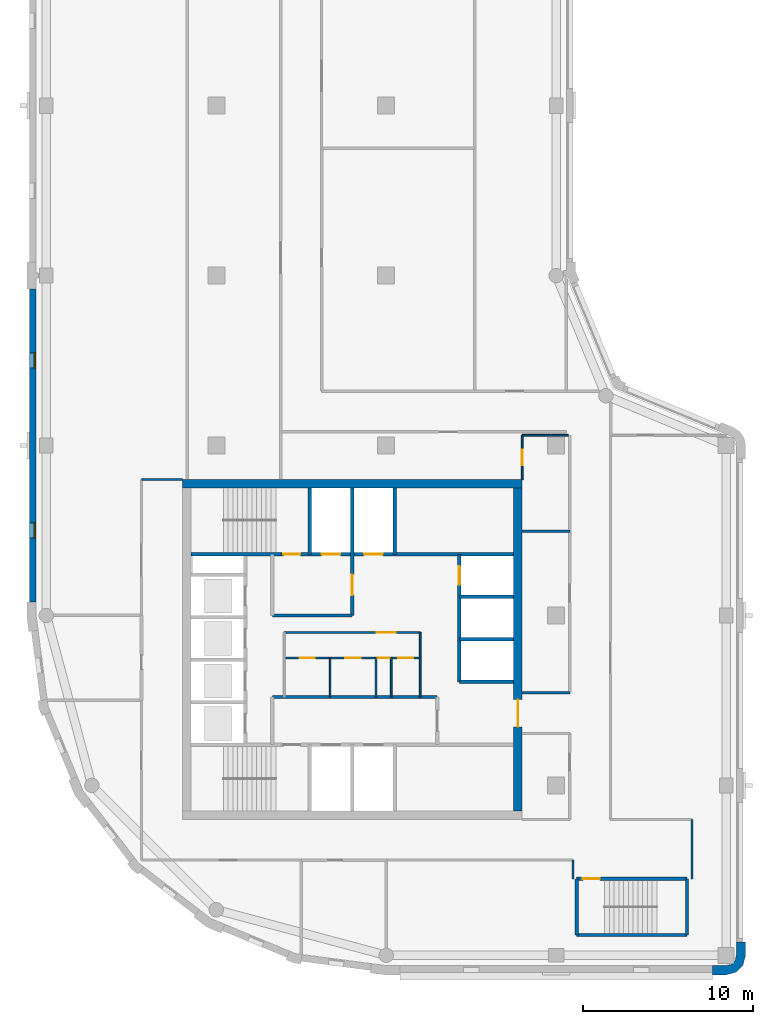
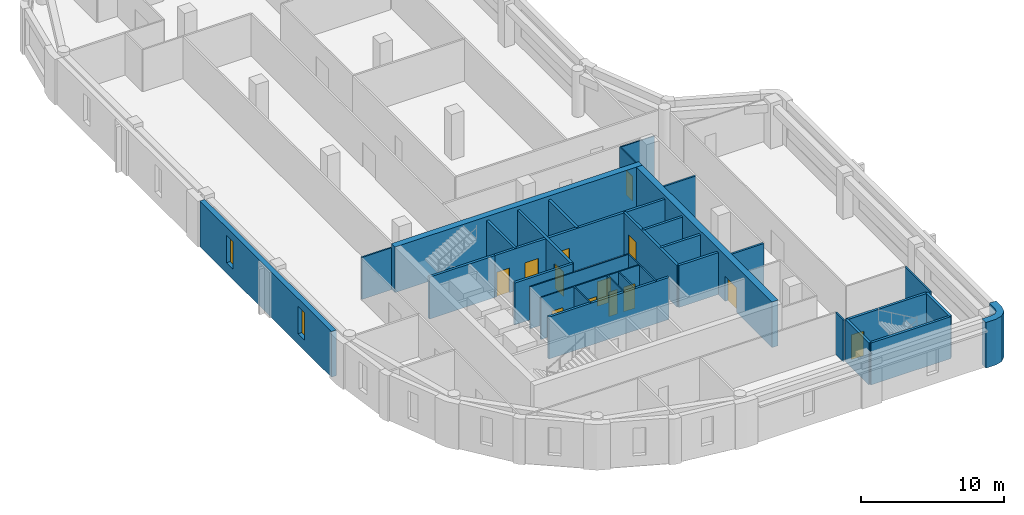
# One storey, part 3 of 8: 32 walls, 13 doors, 2 windows, 15 openings.
"""IFC4 building model written with IfcOpenShell, lengths in metres."""

from ifc_helpers import new_model, si_unit, direction, frame, frame_2d, origin, place, context, subcontext, project, spatial, polyline, rectangle, outline, extrude, material, layer, layer_set, type_object, element, fill, save


model = new_model("IFC4")

# Units and contexts
model_context = context("Model", 3, precision=1e-05, world=origin(), true_north=direction((0.0, 1.0)))
body_context = subcontext(model_context, "Body", "Model", "MODEL_VIEW")
ifc_project = project(units=[si_unit("LENGTHUNIT", "METRE"), si_unit("AREAUNIT", "SQUARE_METRE"), si_unit("VOLUMEUNIT", "CUBIC_METRE"), si_unit("PLANEANGLEUNIT", "RADIAN"), si_unit("MASSUNIT", "GRAM", prefix="KILO")], contexts=[model_context])

# Site, building, storey
site_placement = place(None, origin())
site = spatial("IfcSite", under=ifc_project, at=site_placement, CompositionType="ELEMENT")
building_placement = place(site_placement, origin())
building = spatial("IfcBuilding", under=site, at=building_placement, Name="Qaws Garden Tower", CompositionType="ELEMENT")
storey_placement = place(building_placement, frame((0.0, 0.0, 306.0)))
storey = spatial("IfcBuildingStorey", under=building, at=storey_placement, Name="L74", CompositionType="ELEMENT", Elevation=306.0)

# Wall
ifc_material_1 = material(Name="Clay facing brick masonry", Category="masonry")
ifc_layer_1 = layer(ifc_material_1, 0.550048828125)
ifc_layer_set_1 = layer_set([ifc_layer_1], Name="Clay facing brick masonry")
wall_type_1 = type_object("IfcWallType", Name="Brick corner pier 550 x 2400", PredefinedType="SOLIDWALL", material=ifc_layer_set_1)
wall_1_placement = place(storey_placement, origin())
element("IfcWall", 1, at=wall_1_placement, inside=storey, type_object=wall_type_1, Name="E-L74-pier-02", PredefinedType="SOLIDWALL", context=body_context, shape_type="SweptSolid", body=[
    extrude(outline(polyline([(39.199951171875, -1.0), (39.199951171875, -1.14990234375), (40.0, -1.14990234375), (40.574951171875, -0.995849609375), (40.995849609375, -0.574951171875), (41.14990234375, 0.0), (41.14990234375, 0.800048828125), (41.0, 0.800048828125), (40.60009765625, 0.800048828125), (40.60009765625, 0.0), (40.51953125, -0.300048828125), (40.300048828125, -0.51953125), (40.0, -0.60009765625), (39.199951171875, -0.60009765625), (39.199951171875, -1.0)])), origin(), (0.0, 0.0, 1.0), 3.89990234375),
])

# Wall, openings, windows
ifc_material_2 = material(Name="Clay facing brick masonry", Category="masonry")
ifc_layer_2 = layer(ifc_material_2, 0.39990234375)
ifc_layer_set_2 = layer_set([ifc_layer_2], Name="Clay facing brick masonry")
wall_type_2 = type_object("IfcWallType", Name="Brick infill wall 400", PredefinedType="SOLIDWALL", material=ifc_layer_set_2)
wall_2_placement = place(storey_placement, frame((-0.800048828125, 39.199951171875, 0.0), z_axis=(0.0, 0.0, 1.0), x_axis=(0.0, -1.0, 0.0)))
wall_2 = element("IfcWall", 2, at=wall_2_placement, inside=storey, type_object=wall_type_2, Name="E-L74-infill-19", PredefinedType="SOLIDWALL", context=body_context, shape_type="SweptSolid", body=[
    extrude(rectangle(XDim=18.39990234375, YDim=0.39990234375, at=frame_2d((9.199951171875, 0.0))), origin(), (0.0, 0.0, 1.0), 3.89990234375),
])
opening_1_placement = place(wall_2_placement, frame((3.75, 0.0, 0.89990234375)))
opening_1 = element("IfcOpeningElement", 3, at=opening_1_placement, cuts=wall_2, Name="Opening W09", PredefinedType="OPENING", context=body_context, shape_type="SweptSolid", body=[
    extrude(rectangle(XDim=0.89990234375, YDim=2.35009765625, at=frame_2d((0.449951171875, 1.175048828125))), frame((0.0, 0.2099609375, 0.0), z_axis=(0.0, -1.0, 0.0), x_axis=(1.0, 0.0, 0.0)), (0.0, 0.0, 1.0), 0.419921875),
])
opening_2_placement = place(wall_2_placement, frame((13.75, 0.0, 0.89990234375)))
opening_2 = element("IfcOpeningElement", 4, at=opening_2_placement, cuts=wall_2, Name="Opening W09", PredefinedType="OPENING", context=body_context, shape_type="SweptSolid", body=[
    extrude(rectangle(XDim=0.89990234375, YDim=2.35009765625, at=frame_2d((0.449951171875, 1.175048828125))), frame((0.0, 0.2099609375, 0.0), z_axis=(0.0, -1.0, 0.0), x_axis=(1.0, 0.0, 0.0)), (0.0, 0.0, 1.0), 0.419921875),
])
ifc_material_3 = material(Name="Aluminium framed window, clear glazing", Category="aluminium")
window_type = type_object("IfcWindowType", Name="Slit window 900 x 2350", PartitioningType="SINGLE_PANEL", PredefinedType="WINDOW", material=ifc_material_3)
window_1_placement = place(opening_1_placement, origin())
window_1 = element("IfcWindow", 5, at=window_1_placement, inside=storey, type_object=window_type, Name="E-L74-window-19-0", OverallHeight=2.35009765625, OverallWidth=0.89990234375, PartitioningType="SINGLE_PANEL", PredefinedType="WINDOW", context=body_context, shape_type="SweptSolid", body=[
    extrude(rectangle(XDim=0.89990234375, YDim=2.35009765625, at=frame_2d((0.449951171875, 1.175048828125))), frame((0.0, 0.159912109375, 0.0), z_axis=(0.0, -1.0, 0.0), x_axis=(1.0, 0.0, 0.0)), (0.0, 0.0, 1.0), 0.06005859375),
])
fill(opening_1, window_1)
window_2_placement = place(opening_2_placement, origin())
window_2 = element("IfcWindow", 6, at=window_2_placement, inside=storey, type_object=window_type, Name="E-L74-window-20-0", OverallHeight=2.35009765625, OverallWidth=0.89990234375, PartitioningType="SINGLE_PANEL", PredefinedType="WINDOW", context=body_context, shape_type="SweptSolid", body=[
    extrude(rectangle(XDim=0.89990234375, YDim=2.35009765625, at=frame_2d((0.449951171875, 1.175048828125))), frame((0.0, 0.159912109375, 0.0), z_axis=(0.0, -1.0, 0.0), x_axis=(1.0, 0.0, 0.0)), (0.0, 0.0, 1.0), 0.06005859375),
])
fill(opening_2, window_2)

# Wall, openings, doors
ifc_material_4 = material(Name="Plasterboard")
ifc_layer_3 = layer(ifc_material_4, 0.10009765625)
ifc_layer_set_3 = layer_set([ifc_layer_3], Name="Plasterboard")
wall_type_3 = type_object("IfcWallType", Name="Core partition 100", PredefinedType="PARTITIONING", material=ifc_layer_set_3)
wall_3_placement = place(storey_placement, frame((14.0, 17.5, 0.0), z_axis=(0.0, 0.0, 1.0), x_axis=(1.0, 0.0, 0.0)))
wall_3 = element("IfcWall", 7, at=wall_3_placement, inside=storey, type_object=wall_type_3, Name="Core partition", PredefinedType="PARTITIONING", context=body_context, shape_type="SweptSolid", body=[
    extrude(rectangle(XDim=8.0, YDim=0.10009765625, at=frame_2d((4.0, 0.0))), origin(), (0.0, 0.0, 1.0), 3.580078125),
])
opening_3_placement = place(wall_3_placement, frame((0.89990234375, 0.0, 0.0)))
opening_3 = element("IfcOpeningElement", 8, at=opening_3_placement, cuts=wall_3, Name="Opening WD18", PredefinedType="OPENING", context=body_context, shape_type="SweptSolid", body=[
    extrude(rectangle(XDim=0.89990234375, YDim=2.10009765625, at=frame_2d((0.449951171875, 1.050048828125))), frame((0.0, 0.06005859375, 0.0), z_axis=(0.0, -1.0, 0.0), x_axis=(1.0, 0.0, 0.0)), (0.0, 0.0, 1.0), 0.1201171875),
])
opening_4_placement = place(wall_3_placement, frame((3.60009765625, 0.0, 0.0)))
opening_4 = element("IfcOpeningElement", 9, at=opening_4_placement, cuts=wall_3, Name="Opening WD19", PredefinedType="OPENING", context=body_context, shape_type="SweptSolid", body=[
    extrude(rectangle(XDim=0.89990234375, YDim=2.10009765625, at=frame_2d((0.449951171875, 1.050048828125))), frame((0.0, 0.06005859375, 0.0), z_axis=(0.0, -1.0, 0.0), x_axis=(1.0, 0.0, 0.0)), (0.0, 0.0, 1.0), 0.1201171875),
])
opening_5_placement = place(wall_3_placement, frame((5.5, 0.0, 0.0)))
opening_5 = element("IfcOpeningElement", 10, at=opening_5_placement, cuts=wall_3, Name="Opening XD20", PredefinedType="OPENING", context=body_context, shape_type="SweptSolid", body=[
    extrude(rectangle(XDim=0.699951171875, YDim=2.10009765625, at=frame_2d((0.35009765625, 1.050048828125))), frame((0.0, 0.06005859375, 0.0), z_axis=(0.0, -1.0, 0.0), x_axis=(1.0, 0.0, 0.0)), (0.0, 0.0, 1.0), 0.1201171875),
])
opening_6_placement = place(wall_3_placement, frame((6.699951171875, 0.0, 0.0)))
opening_6 = element("IfcOpeningElement", 11, at=opening_6_placement, cuts=wall_3, Name="Opening WD21", PredefinedType="OPENING", context=body_context, shape_type="SweptSolid", body=[
    extrude(rectangle(XDim=0.89990234375, YDim=2.10009765625, at=frame_2d((0.449951171875, 1.050048828125))), frame((0.0, 0.06005859375, 0.0), z_axis=(0.0, -1.0, 0.0), x_axis=(1.0, 0.0, 0.0)), (0.0, 0.0, 1.0), 0.1201171875),
])
ifc_material_5 = material(Name="Timber", Category="wood")
door_type_1 = type_object("IfcDoorType", Name="Store door 700x2100", OperationType="SINGLE_SWING_LEFT", PredefinedType="DOOR", material=ifc_material_5)
door_1_placement = place(opening_5_placement, frame((0.699951171875, 0.0, 0.0), z_axis=(0.0, 0.0, 1.0), x_axis=(-1.0, 0.0, 0.0)))
door_1 = element("IfcDoor", 12, at=door_1_placement, inside=storey, type_object=door_type_1, Name="Cleaner's store door", OperationType="SINGLE_SWING_LEFT", OverallHeight=2.10009765625, OverallWidth=0.699951171875, PredefinedType="DOOR", context=body_context, shape_type="SweptSolid", body=[
    extrude(rectangle(XDim=0.699951171875, YDim=2.10009765625, at=frame_2d((0.35009765625, 1.050048828125))), frame((0.0, 0.02490234375, 0.0), z_axis=(0.0, -1.0, 0.0), x_axis=(1.0, 0.0, 0.0)), (0.0, 0.0, 1.0), 0.050048828125),
])
fill(opening_5, door_1)
ifc_material_6 = material(Name="Timber", Category="wood")
door_type_2 = type_object("IfcDoorType", Name="WC door 900x2100", OperationType="SINGLE_SWING_LEFT", PredefinedType="DOOR", material=ifc_material_6)
door_2_placement = place(opening_3_placement, frame((0.89990234375, 0.0, 0.0), z_axis=(0.0, 0.0, 1.0), x_axis=(-1.0, 0.0, 0.0)))
door_2 = element("IfcDoor", 13, at=door_2_placement, inside=storey, type_object=door_type_2, Name="Women's WC door", OperationType="SINGLE_SWING_LEFT", OverallHeight=2.10009765625, OverallWidth=0.89990234375, PredefinedType="DOOR", context=body_context, shape_type="SweptSolid", body=[
    extrude(rectangle(XDim=0.89990234375, YDim=2.10009765625, at=frame_2d((0.449951171875, 1.050048828125))), frame((0.0, 0.02490234375, 0.0), z_axis=(0.0, -1.0, 0.0), x_axis=(1.0, 0.0, 0.0)), (0.0, 0.0, 1.0), 0.050048828125),
])
fill(opening_3, door_2)
door_3_placement = place(opening_4_placement, frame((0.89990234375, 0.0, 0.0), z_axis=(0.0, 0.0, 1.0), x_axis=(-1.0, 0.0, 0.0)))
door_3 = element("IfcDoor", 14, at=door_3_placement, inside=storey, type_object=door_type_2, Name="Men's WC door", OperationType="SINGLE_SWING_LEFT", OverallHeight=2.10009765625, OverallWidth=0.89990234375, PredefinedType="DOOR", context=body_context, shape_type="SweptSolid", body=[
    extrude(rectangle(XDim=0.89990234375, YDim=2.10009765625, at=frame_2d((0.449951171875, 1.050048828125))), frame((0.0, 0.02490234375, 0.0), z_axis=(0.0, -1.0, 0.0), x_axis=(1.0, 0.0, 0.0)), (0.0, 0.0, 1.0), 0.050048828125),
])
fill(opening_4, door_3)
door_4_placement = place(opening_6_placement, frame((0.89990234375, 0.0, 0.0), z_axis=(0.0, 0.0, 1.0), x_axis=(-1.0, 0.0, 0.0)))
door_4 = element("IfcDoor", 15, at=door_4_placement, inside=storey, type_object=door_type_2, Name="Accessible WC door", OperationType="SINGLE_SWING_LEFT", OverallHeight=2.10009765625, OverallWidth=0.89990234375, PredefinedType="DOOR", context=body_context, shape_type="SweptSolid", body=[
    extrude(rectangle(XDim=0.89990234375, YDim=2.10009765625, at=frame_2d((0.449951171875, 1.050048828125))), frame((0.0, 0.02490234375, 0.0), z_axis=(0.0, -1.0, 0.0), x_axis=(1.0, 0.0, 0.0)), (0.0, 0.0, 1.0), 0.050048828125),
])
fill(opening_6, door_4)

# Wall, opening, door
wall_4_placement = place(storey_placement, frame((14.0, 19.0, 0.0), z_axis=(0.0, 0.0, 1.0), x_axis=(1.0, 0.0, 0.0)))
wall_4 = element("IfcWall", 16, at=wall_4_placement, inside=storey, type_object=wall_type_3, Name="Core partition", PredefinedType="PARTITIONING", context=body_context, shape_type="SweptSolid", body=[
    extrude(rectangle(XDim=8.0, YDim=0.10009765625, at=frame_2d((4.0, 0.0))), origin(), (0.0, 0.0, 1.0), 3.580078125),
])
opening_7_placement = place(wall_4_placement, frame((5.449951171875, 0.0, 0.0)))
opening_7 = element("IfcOpeningElement", 17, at=opening_7_placement, cuts=wall_4, Name="Opening WL17", PredefinedType="OPENING", context=body_context, shape_type="SweptSolid", body=[
    extrude(rectangle(XDim=1.10009765625, YDim=2.10009765625, at=frame_2d((0.550048828125, 1.050048828125))), frame((0.0, 0.06005859375, 0.0), z_axis=(0.0, -1.0, 0.0), x_axis=(1.0, 0.0, 0.0)), (0.0, 0.0, 1.0), 0.1201171875),
])
ifc_material_7 = material(Name="Timber", Category="wood")
door_type_3 = type_object("IfcDoorType", Name="WC lobby door 1100x2100", OperationType="SINGLE_SWING_LEFT", PredefinedType="DOOR", material=ifc_material_7)
door_5_placement = place(opening_7_placement, frame((1.10009765625, 0.0, 0.0), z_axis=(0.0, 0.0, 1.0), x_axis=(-1.0, 0.0, 0.0)))
door_5 = element("IfcDoor", 18, at=door_5_placement, inside=storey, type_object=door_type_3, Name="WC lobby door", OperationType="SINGLE_SWING_LEFT", OverallHeight=2.10009765625, OverallWidth=1.10009765625, PredefinedType="DOOR", context=body_context, shape_type="SweptSolid", body=[
    extrude(rectangle(XDim=1.10009765625, YDim=2.10009765625, at=frame_2d((0.550048828125, 1.050048828125))), frame((0.0, 0.02490234375, 0.0), z_axis=(0.0, -1.0, 0.0), x_axis=(1.0, 0.0, 0.0)), (0.0, 0.0, 1.0), 0.050048828125),
])
fill(opening_7, door_5)

# Walls
for number, where, z_axis, x_axis, name in (
    (19, (16.699951171875, 15.199951171875, 0.0), (0.0, 0.0, 1.0), (0.0, 1.0, 0.0), "Core partition"),
    (20, (19.39990234375, 15.199951171875, 0.0), (0.0, 0.0, 1.0), (0.0, 1.0, 0.0), "Core partition"),
    (21, (20.300048828125, 15.199951171875, 0.0), (0.0, 0.0, 1.0), (0.0, 1.0, 0.0), "Core partition"),
):
    element("IfcWall", number, at=place(storey_placement, frame(where, z_axis=z_axis, x_axis=x_axis)), inside=storey, type_object=wall_type_3, Name=name, PredefinedType="PARTITIONING", context=body_context, shape_type="SweptSolid", body=[
        extrude(rectangle(XDim=2.300048828125, YDim=0.10009765625, at=frame_2d((1.14990234375, 0.0))), origin(), (0.0, 0.0, 1.0), 3.580078125),
    ])
wall_5_placement = place(storey_placement, frame((22.0, 15.199951171875, 0.0), z_axis=(0.0, 0.0, 1.0), x_axis=(0.0, 1.0, 0.0)))
element("IfcWall", 22, at=wall_5_placement, inside=storey, type_object=wall_type_3, Name="Core partition", PredefinedType="PARTITIONING", context=body_context, shape_type="SweptSolid", body=[
    extrude(rectangle(XDim=3.800048828125, YDim=0.10009765625, at=frame_2d((1.89990234375, 0.0))), origin(), (0.0, 0.0, 1.0), 3.580078125),
])
ifc_material_8 = material(Name="Concrete C60", Category="concrete")
ifc_layer_4 = layer(ifc_material_8, 0.199951171875)
ifc_layer_set_4 = layer_set([ifc_layer_4], Name="Concrete C60")
wall_type_4 = type_object("IfcWallType", Name="Core shaft wall 200 C60", PredefinedType="SHEAR", material=ifc_layer_set_4)
wall_6_placement = place(storey_placement, frame((31.199951171875, 1.199951171875, 0.0), z_axis=(0.0, 0.0, 1.0), x_axis=(1.0, 0.0, 0.0)))
element("IfcWall", 23, at=wall_6_placement, inside=storey, type_object=wall_type_4, Name="Shaft wall", PredefinedType="SHEAR", context=body_context, shape_type="SweptSolid", body=[
    extrude(rectangle(XDim=6.5, YDim=0.199951171875, at=frame_2d((3.25, 0.0))), origin(), (0.0, 0.0, 1.0), 3.580078125),
])

# Wall, opening, door
wall_7_placement = place(storey_placement, frame((31.199951171875, 4.5, 0.0), z_axis=(0.0, 0.0, 1.0), x_axis=(1.0, 0.0, 0.0)))
wall_7 = element("IfcWall", 24, at=wall_7_placement, inside=storey, type_object=wall_type_4, Name="Shaft wall", PredefinedType="SHEAR", context=body_context, shape_type="SweptSolid", body=[
    extrude(rectangle(XDim=6.5, YDim=0.199951171875, at=frame_2d((3.25, 0.0))), origin(), (0.0, 0.0, 1.0), 3.580078125),
])
opening_8_placement = place(wall_7_placement, frame((0.375, 0.0, 0.0)))
opening_8 = element("IfcOpeningElement", 25, at=opening_8_placement, cuts=wall_7, Name="Opening SD12", PredefinedType="OPENING", context=body_context, shape_type="SweptSolid", body=[
    extrude(rectangle(XDim=1.0, YDim=2.10009765625, at=frame_2d((0.5, 1.050048828125))), frame((0.0, 0.10986328125, 0.0), z_axis=(0.0, -1.0, 0.0), x_axis=(1.0, 0.0, 0.0)), (0.0, 0.0, 1.0), 0.219970703125),
])
ifc_material_9 = material(Name="Steel S235", Category="steel")
door_type_4 = type_object("IfcDoorType", Name="Stair door 1000x2100", OperationType="SINGLE_SWING_RIGHT", PredefinedType="DOOR", material=ifc_material_9)
door_6_placement = place(opening_8_placement, frame((1.0, 0.0, 0.0), z_axis=(0.0, 0.0, 1.0), x_axis=(-1.0, 0.0, 0.0)))
door_6 = element("IfcDoor", 26, at=door_6_placement, inside=storey, type_object=door_type_4, Name="Stair 5 door", OperationType="SINGLE_SWING_RIGHT", OverallHeight=2.10009765625, OverallWidth=1.0, PredefinedType="DOOR", context=body_context, shape_type="SweptSolid", body=[
    extrude(rectangle(XDim=1.0, YDim=2.10009765625, at=frame_2d((0.5, 1.050048828125))), frame((0.0, 0.02490234375, 0.0), z_axis=(0.0, -1.0, 0.0), x_axis=(1.0, 0.0, 0.0)), (0.0, 0.0, 1.0), 0.050048828125),
])
fill(opening_8, door_6)

# Walls
wall_8_placement = place(storey_placement, frame((13.300048828125, 15.199951171875, 0.0), z_axis=(0.0, 0.0, 1.0), x_axis=(1.0, 0.0, 0.0)))
element("IfcWall", 27, at=wall_8_placement, inside=storey, type_object=wall_type_4, Name="Shaft wall", PredefinedType="SHEAR", context=body_context, shape_type="SweptSolid", body=[
    extrude(rectangle(XDim=9.699951171875, YDim=0.199951171875, at=frame_2d((4.85009765625, 0.0))), origin(), (0.0, 0.0, 1.0), 3.580078125),
])
for number, where, z_axis, x_axis, name in (
    (28, (24.300048828125, 16.10009765625, 0.0), (0.0, 0.0, 1.0), (1.0, 0.0, 0.0), "Shaft wall"),
    (29, (24.300048828125, 18.60009765625, 0.0), (0.0, 0.0, 1.0), (1.0, 0.0, 0.0), "Shaft wall"),
):
    element("IfcWall", number, at=place(storey_placement, frame(where, z_axis=z_axis, x_axis=x_axis)), inside=storey, type_object=wall_type_4, Name=name, PredefinedType="SHEAR", context=body_context, shape_type="SweptSolid", body=[
        extrude(rectangle(XDim=3.199951171875, YDim=0.199951171875, at=frame_2d((1.60009765625, 0.0))), origin(), (0.0, 0.0, 1.0), 3.580078125),
    ])
wall_9_placement = place(storey_placement, frame((13.300048828125, 20.0, 0.0), z_axis=(0.0, 0.0, 1.0), x_axis=(1.0, 0.0, 0.0)))
element("IfcWall", 30, at=wall_9_placement, inside=storey, type_object=wall_type_4, Name="Shaft wall", PredefinedType="SHEAR", context=body_context, shape_type="SweptSolid", body=[
    extrude(rectangle(XDim=4.699951171875, YDim=0.199951171875, at=frame_2d((2.35009765625, 0.0))), origin(), (0.0, 0.0, 1.0), 3.580078125),
])
wall_10_placement = place(storey_placement, frame((24.300048828125, 21.10009765625, 0.0), z_axis=(0.0, 0.0, 1.0), x_axis=(1.0, 0.0, 0.0)))
element("IfcWall", 31, at=wall_10_placement, inside=storey, type_object=wall_type_4, Name="Shaft wall", PredefinedType="SHEAR", context=body_context, shape_type="SweptSolid", body=[
    extrude(rectangle(XDim=3.199951171875, YDim=0.199951171875, at=frame_2d((1.60009765625, 0.0))), origin(), (0.0, 0.0, 1.0), 3.580078125),
])
wall_11_placement = place(storey_placement, frame((8.5, 23.60009765625, 0.0), z_axis=(0.0, 0.0, 1.0), x_axis=(1.0, 0.0, 0.0)))
element("IfcWall", 32, at=wall_11_placement, inside=storey, type_object=wall_type_4, Name="Shaft wall", PredefinedType="SHEAR", context=body_context, shape_type="SweptSolid", body=[
    extrude(rectangle(XDim=5.300048828125, YDim=0.199951171875, at=frame_2d((2.64990234375, 0.0))), origin(), (0.0, 0.0, 1.0), 3.580078125),
])

# Wall, openings, doors
wall_12_placement = place(storey_placement, frame((13.800048828125, 23.60009765625, 0.0), z_axis=(0.0, 0.0, 1.0), x_axis=(1.0, 0.0, 0.0)))
wall_12 = element("IfcWall", 33, at=wall_12_placement, inside=storey, type_object=wall_type_4, Name="Shaft wall", PredefinedType="SHEAR", context=body_context, shape_type="SweptSolid", body=[
    extrude(rectangle(XDim=13.699951171875, YDim=0.199951171875, at=frame_2d((6.85009765625, 0.0))), origin(), (0.0, 0.0, 1.0), 3.580078125),
])
opening_9_placement = place(wall_12_placement, frame((2.39990234375, 0.0, 0.0)))
opening_9 = element("IfcOpeningElement", 34, at=opening_9_placement, cuts=wall_12, Name="Opening LD08", PredefinedType="OPENING", context=body_context, shape_type="SweptSolid", body=[
    extrude(rectangle(XDim=1.10009765625, YDim=2.10009765625, at=frame_2d((0.550048828125, 1.050048828125))), frame((0.0, 0.10986328125, 0.0), z_axis=(0.0, -1.0, 0.0), x_axis=(1.0, 0.0, 0.0)), (0.0, 0.0, 1.0), 0.219970703125),
])
opening_10_placement = place(wall_12_placement, frame((4.89990234375, 0.0, 0.0)))
opening_10 = element("IfcOpeningElement", 35, at=opening_10_placement, cuts=wall_12, Name="Opening LD09", PredefinedType="OPENING", context=body_context, shape_type="SweptSolid", body=[
    extrude(rectangle(XDim=1.10009765625, YDim=2.10009765625, at=frame_2d((0.550048828125, 1.050048828125))), frame((0.0, 0.10986328125, 0.0), z_axis=(0.0, -1.0, 0.0), x_axis=(1.0, 0.0, 0.0)), (0.0, 0.0, 1.0), 0.219970703125),
])
opening_11_placement = place(wall_12_placement, frame((0.14990234375, 0.0, 0.0)))
opening_11 = element("IfcOpeningElement", 36, at=opening_11_placement, cuts=wall_12, Name="Opening SD11", PredefinedType="OPENING", context=body_context, shape_type="SweptSolid", body=[
    extrude(rectangle(XDim=1.0, YDim=2.10009765625, at=frame_2d((0.5, 1.050048828125))), frame((0.0, 0.10986328125, 0.0), z_axis=(0.0, -1.0, 0.0), x_axis=(1.0, 0.0, 0.0)), (0.0, 0.0, 1.0), 0.219970703125),
])
ifc_material_10 = material(Name="Steel S235", Category="steel")
door_type_5 = type_object("IfcDoorType", Name="Landing door 1100x2100", OperationType="DOUBLE_DOOR_SLIDING", PredefinedType="DOOR", material=ifc_material_10)
door_7_placement = place(opening_9_placement, origin())
door_7 = element("IfcDoor", 37, at=door_7_placement, inside=storey, type_object=door_type_5, Name="Lift FF3 landing door", OperationType="DOUBLE_DOOR_SLIDING", OverallHeight=2.10009765625, OverallWidth=1.10009765625, PredefinedType="DOOR", context=body_context, shape_type="SweptSolid", body=[
    extrude(rectangle(XDim=1.10009765625, YDim=2.10009765625, at=frame_2d((0.550048828125, 1.050048828125))), frame((0.0, 0.02490234375, 0.0), z_axis=(0.0, -1.0, 0.0), x_axis=(1.0, 0.0, 0.0)), (0.0, 0.0, 1.0), 0.050048828125),
])
fill(opening_9, door_7)
door_8_placement = place(opening_10_placement, origin())
door_8 = element("IfcDoor", 38, at=door_8_placement, inside=storey, type_object=door_type_5, Name="Lift SV2 landing door", OperationType="DOUBLE_DOOR_SLIDING", OverallHeight=2.10009765625, OverallWidth=1.10009765625, PredefinedType="DOOR", context=body_context, shape_type="SweptSolid", body=[
    extrude(rectangle(XDim=1.10009765625, YDim=2.10009765625, at=frame_2d((0.550048828125, 1.050048828125))), frame((0.0, 0.02490234375, 0.0), z_axis=(0.0, -1.0, 0.0), x_axis=(1.0, 0.0, 0.0)), (0.0, 0.0, 1.0), 0.050048828125),
])
fill(opening_10, door_8)
door_9_placement = place(opening_11_placement, origin())
door_9 = element("IfcDoor", 39, at=door_9_placement, inside=storey, type_object=door_type_4, Name="Stair 4 door", OperationType="SINGLE_SWING_RIGHT", OverallHeight=2.10009765625, OverallWidth=1.0, PredefinedType="DOOR", context=body_context, shape_type="SweptSolid", body=[
    extrude(rectangle(XDim=1.0, YDim=2.10009765625, at=frame_2d((0.5, 1.050048828125))), frame((0.0, 0.02490234375, 0.0), z_axis=(0.0, -1.0, 0.0), x_axis=(1.0, 0.0, 0.0)), (0.0, 0.0, 1.0), 0.050048828125),
])
fill(opening_11, door_9)

# Wall
wall_13_placement = place(storey_placement, frame((15.5, 23.60009765625, 0.0), z_axis=(0.0, 0.0, 1.0), x_axis=(0.0, 1.0, 0.0)))
element("IfcWall", 40, at=wall_13_placement, inside=storey, type_object=wall_type_4, Name="Shaft wall", PredefinedType="SHEAR", context=body_context, shape_type="SweptSolid", body=[
    extrude(rectangle(XDim=3.89990234375, YDim=0.199951171875, at=frame_2d((1.949951171875, 0.0))), origin(), (0.0, 0.0, 1.0), 3.580078125),
])

# Wall, opening, door
wall_14_placement = place(storey_placement, frame((18.0, 20.0, 0.0), z_axis=(0.0, 0.0, 1.0), x_axis=(0.0, 1.0, 0.0)))
wall_14 = element("IfcWall", 41, at=wall_14_placement, inside=storey, type_object=wall_type_4, Name="Shaft wall", PredefinedType="SHEAR", context=body_context, shape_type="SweptSolid", body=[
    extrude(rectangle(XDim=7.5, YDim=0.199951171875, at=frame_2d((3.75, 0.0))), origin(), (0.0, 0.0, 1.0), 3.580078125),
])
opening_12_placement = place(wall_14_placement, frame((1.199951171875, 0.0, 0.0)))
opening_12 = element("IfcOpeningElement", 42, at=opening_12_placement, cuts=wall_14, Name="Opening FD16", PredefinedType="OPENING", context=body_context, shape_type="SweptSolid", body=[
    extrude(rectangle(XDim=1.199951171875, YDim=2.10009765625, at=frame_2d((0.60009765625, 1.050048828125))), frame((0.0, 0.10986328125, 0.0), z_axis=(0.0, -1.0, 0.0), x_axis=(1.0, 0.0, 0.0)), (0.0, 0.0, 1.0), 0.219970703125),
])
ifc_material_11 = material(Name="Steel S235", Category="steel")
door_type_6 = type_object("IfcDoorType", Name="Lobby door 1200x2100", OperationType="DOUBLE_DOOR_SINGLE_SWING", PredefinedType="DOOR", material=ifc_material_11)
door_10_placement = place(opening_12_placement, origin())
door_10 = element("IfcDoor", 43, at=door_10_placement, inside=storey, type_object=door_type_6, Name="Fire-fighting lobby door", OperationType="DOUBLE_DOOR_SINGLE_SWING", OverallHeight=2.10009765625, OverallWidth=1.199951171875, PredefinedType="DOOR", context=body_context, shape_type="SweptSolid", body=[
    extrude(rectangle(XDim=1.199951171875, YDim=2.10009765625, at=frame_2d((0.60009765625, 1.050048828125))), frame((0.0, 0.02490234375, 0.0), z_axis=(0.0, -1.0, 0.0), x_axis=(1.0, 0.0, 0.0)), (0.0, 0.0, 1.0), 0.050048828125),
])
fill(opening_12, door_10)

# Wall
wall_15_placement = place(storey_placement, frame((20.5, 23.60009765625, 0.0), z_axis=(0.0, 0.0, 1.0), x_axis=(0.0, 1.0, 0.0)))
element("IfcWall", 44, at=wall_15_placement, inside=storey, type_object=wall_type_4, Name="Shaft wall", PredefinedType="SHEAR", context=body_context, shape_type="SweptSolid", body=[
    extrude(rectangle(XDim=3.89990234375, YDim=0.199951171875, at=frame_2d((1.949951171875, 0.0))), origin(), (0.0, 0.0, 1.0), 3.580078125),
])

# Wall, opening, door
wall_16_placement = place(storey_placement, frame((24.300048828125, 16.10009765625, 0.0), z_axis=(0.0, 0.0, 1.0), x_axis=(0.0, 1.0, 0.0)))
wall_16 = element("IfcWall", 45, at=wall_16_placement, inside=storey, type_object=wall_type_4, Name="Shaft wall", PredefinedType="SHEAR", context=body_context, shape_type="SweptSolid", body=[
    extrude(rectangle(XDim=7.5, YDim=0.199951171875, at=frame_2d((3.75, 0.0))), origin(), (0.0, 0.0, 1.0), 3.580078125),
])
opening_13_placement = place(wall_16_placement, frame((5.699951171875, 0.0, 0.0)))
opening_13 = element("IfcOpeningElement", 46, at=opening_13_placement, cuts=wall_16, Name="Opening LD05", PredefinedType="OPENING", context=body_context, shape_type="SweptSolid", body=[
    extrude(rectangle(XDim=1.10009765625, YDim=2.10009765625, at=frame_2d((0.550048828125, 1.050048828125))), frame((0.0, 0.10986328125, 0.0), z_axis=(0.0, -1.0, 0.0), x_axis=(1.0, 0.0, 0.0)), (0.0, 0.0, 1.0), 0.219970703125),
])
door_11_placement = place(opening_13_placement, origin())
door_11 = element("IfcDoor", 47, at=door_11_placement, inside=storey, type_object=door_type_5, Name="Lift E3 landing door", OperationType="DOUBLE_DOOR_SLIDING", OverallHeight=2.10009765625, OverallWidth=1.10009765625, PredefinedType="DOOR", context=body_context, shape_type="SweptSolid", body=[
    extrude(rectangle(XDim=1.10009765625, YDim=2.10009765625, at=frame_2d((0.550048828125, 1.050048828125))), frame((0.0, 0.02490234375, 0.0), z_axis=(0.0, -1.0, 0.0), x_axis=(1.0, 0.0, 0.0)), (0.0, 0.0, 1.0), 0.050048828125),
])
fill(opening_13, door_11)

# Walls
for number, where, z_axis, x_axis, name in (
    (48, (31.199951171875, 1.199951171875, 0.0), (0.0, 0.0, 1.0), (0.0, 1.0, 0.0), "Shaft wall"),
    (49, (37.699951171875, 1.199951171875, 0.0), (0.0, 0.0, 1.0), (0.0, 1.0, 0.0), "Shaft wall"),
):
    element("IfcWall", number, at=place(storey_placement, frame(where, z_axis=z_axis, x_axis=x_axis)), inside=storey, type_object=wall_type_4, Name=name, PredefinedType="SHEAR", context=body_context, shape_type="SweptSolid", body=[
        extrude(rectangle(XDim=3.300048828125, YDim=0.199951171875, at=frame_2d((1.64990234375, 0.0))), origin(), (0.0, 0.0, 1.0), 3.580078125),
    ])

# Wall, opening, door
ifc_material_12 = material(Name="Concrete C60", Category="concrete")
ifc_layer_5 = layer(ifc_material_12, 0.5)
ifc_layer_set_5 = layer_set([ifc_layer_5], Name="Concrete C60")
wall_type_5 = type_object("IfcWallType", Name="Core wall 500 C60", PredefinedType="SHEAR", material=ifc_layer_set_5)
wall_17_placement = place(storey_placement, frame((27.75, 8.5, 0.0), z_axis=(0.0, 0.0, 1.0), x_axis=(0.0, 1.0, 0.0)))
wall_17 = element("IfcWall", 50, at=wall_17_placement, inside=storey, type_object=wall_type_5, Name="Core wall L74 east", PredefinedType="SHEAR", context=body_context, shape_type="SweptSolid", body=[
    extrude(rectangle(XDim=19.0, YDim=0.5, at=frame_2d((9.5, 0.0))), origin(), (0.0, 0.0, 1.0), 3.89990234375),
])
opening_14_placement = place(wall_17_placement, frame((4.949951171875, 0.0, 0.0)))
opening_14 = element("IfcOpeningElement", 51, at=opening_14_placement, cuts=wall_17, Name="Opening ED22", PredefinedType="OPENING", context=body_context, shape_type="SweptSolid", body=[
    extrude(rectangle(XDim=1.60009765625, YDim=2.10009765625, at=frame_2d((0.800048828125, 1.050048828125))), frame((0.0, 0.260009765625, 0.0), z_axis=(0.0, -1.0, 0.0), x_axis=(1.0, 0.0, 0.0)), (0.0, 0.0, 1.0), 0.52001953125),
])
ifc_material_13 = material(Name="Steel S235", Category="steel")
door_type_7 = type_object("IfcDoorType", Name="Core entrance door 1600x2100", OperationType="DOUBLE_DOOR_SINGLE_SWING", PredefinedType="DOOR", material=ifc_material_13)
door_12_placement = place(opening_14_placement, origin())
door_12 = element("IfcDoor", 52, at=door_12_placement, inside=storey, type_object=door_type_7, Name="Core entrance door", OperationType="DOUBLE_DOOR_SINGLE_SWING", OverallHeight=2.10009765625, OverallWidth=1.60009765625, PredefinedType="DOOR", context=body_context, shape_type="SweptSolid", body=[
    extrude(rectangle(XDim=1.60009765625, YDim=2.10009765625, at=frame_2d((0.800048828125, 1.050048828125))), frame((0.0, 0.02490234375, 0.0), z_axis=(0.0, -1.0, 0.0), x_axis=(1.0, 0.0, 0.0)), (0.0, 0.0, 1.0), 0.050048828125),
])
fill(opening_14, door_12)

# Walls
wall_18_placement = place(storey_placement, frame((28.0, 27.75, 0.0), z_axis=(0.0, 0.0, 1.0), x_axis=(-1.0, 0.0, 0.0)))
element("IfcWall", 53, at=wall_18_placement, inside=storey, type_object=wall_type_5, Name="Core wall L74 north", PredefinedType="SHEAR", context=body_context, shape_type="SweptSolid", body=[
    extrude(rectangle(XDim=20.0, YDim=0.5, at=frame_2d((10.0, 0.0))), origin(), (0.0, 0.0, 1.0), 3.89990234375),
])
ifc_material_14 = material(Name="Glass and aluminium framing", Category="aluminium")
ifc_layer_6 = layer(ifc_material_14, 0.1201171875)
ifc_layer_set_6 = layer_set([ifc_layer_6], Name="Glass and aluminium framing")
wall_type_6 = type_object("IfcWallType", Name="GLAZED PARTITION 120 EI 30", PredefinedType="PARTITIONING", material=ifc_layer_set_6)
wall_19_placement = place(storey_placement, frame((31.0, 4.5, 0.0), z_axis=(0.0, 0.0, 1.0), x_axis=(0.0, 1.0, 0.0)))
element("IfcWall", 54, at=wall_19_placement, inside=storey, type_object=wall_type_6, Name="O-L74-wall-033", PredefinedType="PARTITIONING", context=body_context, shape_type="SweptSolid", body=[
    extrude(rectangle(XDim=1.10009765625, YDim=0.1201171875, at=frame_2d((0.550048828125, 0.0))), origin(), (0.0, 0.0, 1.0), 3.580078125),
])
wall_20_placement = place(storey_placement, frame((38.0, 4.5, 0.0), z_axis=(0.0, 0.0, 1.0), x_axis=(0.0, 1.0, 0.0)))
element("IfcWall", 55, at=wall_20_placement, inside=storey, type_object=wall_type_6, Name="O-L74-wall-035", PredefinedType="PARTITIONING", context=body_context, shape_type="SweptSolid", body=[
    extrude(rectangle(XDim=3.5, YDim=0.1201171875, at=frame_2d((1.75, 0.0))), origin(), (0.0, 0.0, 1.0), 3.580078125),
])
wall_21_placement = place(storey_placement, frame((5.60009765625, 28.0, 0.0), z_axis=(0.0, 0.0, 1.0), x_axis=(1.0, 0.0, 0.0)))
element("IfcWall", 56, at=wall_21_placement, inside=storey, type_object=wall_type_6, Name="O-L74-wall-041", PredefinedType="PARTITIONING", context=body_context, shape_type="SweptSolid", body=[
    extrude(rectangle(XDim=2.39990234375, YDim=0.1201171875, at=frame_2d((1.199951171875, 0.0))), origin(), (0.0, 0.0, 1.0), 3.580078125),
])

# Wall, opening, door
ifc_material_15 = material(Name="Gypsum board partition")
ifc_layer_7 = layer(ifc_material_15, 0.10009765625)
ifc_layer_set_7 = layer_set([ifc_layer_7], Name="Gypsum board partition")
wall_type_7 = type_object("IfcWallType", Name="PARTITION 100", PredefinedType="PARTITIONING", material=ifc_layer_set_7)
wall_22_placement = place(storey_placement, frame((28.0, 28.0, 0.0), z_axis=(0.0, 0.0, 1.0), x_axis=(0.0, 1.0, 0.0)))
wall_22 = element("IfcWall", 57, at=wall_22_placement, inside=storey, type_object=wall_type_7, Name="O-L74-wall-001", PredefinedType="PARTITIONING", context=body_context, shape_type="SweptSolid", body=[
    extrude(rectangle(XDim=2.597900390625, YDim=0.10009765625, at=frame_2d((1.298828125, 0.0))), origin(), (0.0, 0.0, 1.0), 3.580078125),
])
opening_15_placement = place(wall_22_placement, frame((0.85009765625, 0.0, 0.0)))
opening_15 = element("IfcOpeningElement", 58, at=opening_15_placement, cuts=wall_22, Name="Opening C716", PredefinedType="OPENING", context=body_context, shape_type="SweptSolid", body=[
    extrude(rectangle(XDim=0.89990234375, YDim=2.10009765625, at=frame_2d((0.449951171875, 1.050048828125))), frame((0.0, 0.06005859375, 0.0), z_axis=(0.0, -1.0, 0.0), x_axis=(1.0, 0.0, 0.0)), (0.0, 0.0, 1.0), 0.1201171875),
])
ifc_material_16 = material(Name="Timber door leaf", Category="wood")
door_type_8 = type_object("IfcDoorType", Name="OFFICE DOOR 900 X 2100", OperationType="SINGLE_SWING_LEFT", PredefinedType="DOOR", material=ifc_material_16)
door_13_placement = place(opening_15_placement, frame((0.89990234375, 0.0, 0.0), z_axis=(0.0, 0.0, 1.0), x_axis=(-1.0, 0.0, 0.0)))
door_13 = element("IfcDoor", 59, at=door_13_placement, inside=storey, type_object=door_type_8, Name="O-L74-door-016", OperationType="SINGLE_SWING_LEFT", OverallHeight=2.10009765625, OverallWidth=0.89990234375, PredefinedType="DOOR", context=body_context, shape_type="SweptSolid", body=[
    extrude(rectangle(XDim=0.89990234375, YDim=2.10009765625, at=frame_2d((0.449951171875, 1.050048828125))), frame((0.0, 0.02490234375, 0.0), z_axis=(0.0, -1.0, 0.0), x_axis=(1.0, 0.0, 0.0)), (0.0, 0.0, 1.0), 0.050048828125),
])
fill(opening_15, door_13)

# Walls
wall_23_placement = place(storey_placement, frame((28.001953125, 30.60009765625, 0.0), z_axis=(0.0, 0.0, 1.0), x_axis=(1.0, 0.0, 0.0)))
element("IfcWall", 60, at=wall_23_placement, inside=storey, type_object=wall_type_7, Name="O-L74-wall-002", PredefinedType="PARTITIONING", context=body_context, shape_type="SweptSolid", body=[
    extrude(rectangle(XDim=2.72314453125, YDim=0.10009765625, at=frame_2d((1.361572265625, 0.0))), origin(), (0.0, 0.0, 1.0), 3.580078125),
])
ifc_material_17 = material(Name="Gypsum board partition")
ifc_layer_8 = layer(ifc_material_17, 0.14990234375)
ifc_layer_set_8 = layer_set([ifc_layer_8], Name="Gypsum board partition")
wall_type_8 = type_object("IfcWallType", Name="PARTITION 150 EI 60", PredefinedType="PARTITIONING", material=ifc_layer_set_8)
for number, where, z_axis, x_axis, name in (
    (61, (28.0, 15.449951171875, 0.0), (0.0, 0.0, 1.0), (1.0, 0.0, 0.0), "O-L74-wall-017"),
    (62, (28.0, 24.949951171875, 0.0), (0.0, 0.0, 1.0), (1.0, 0.0, 0.0), "O-L74-wall-019"),
):
    element("IfcWall", number, at=place(storey_placement, frame(where, z_axis=z_axis, x_axis=x_axis)), inside=storey, type_object=wall_type_8, Name=name, PredefinedType="PARTITIONING", context=body_context, shape_type="SweptSolid", body=[
        extrude(rectangle(XDim=2.800048828125, YDim=0.14990234375, at=frame_2d((1.39990234375, 0.0))), origin(), (0.0, 0.0, 1.0), 3.580078125),
    ])

save(model, "model.ifc")
